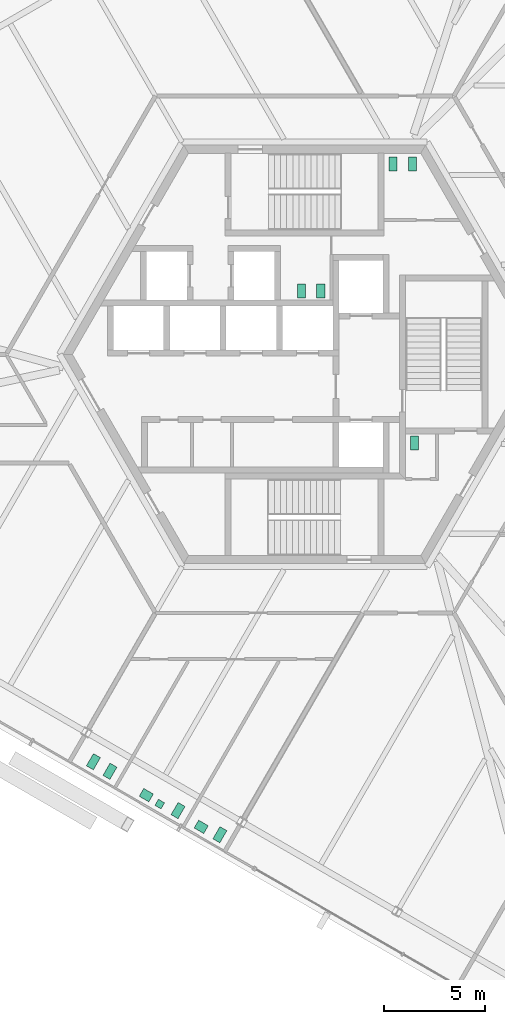
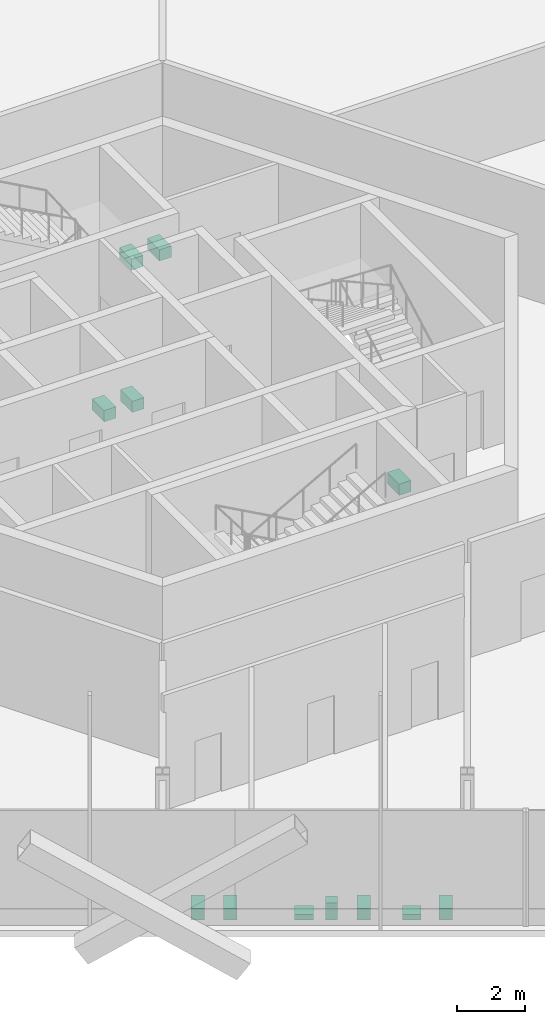
# One storey, part 18 of 18: 12 sanitary terminals.
"""IFC4 building model written with IfcOpenShell, lengths in metres."""

import ifcopenshell
import ifcopenshell.guid

model = None  # the IFC model being written
_history = None  # IfcOwnerHistory: only IFC2X3 demands one
_inside = {}  # id of a spatial element -> (the spatial element, [elements in it])
_under = {}  # id of a project, library or spatial element -> (it, [spatial elements below it])
_declared = {}  # id of a project -> (the project, [libraries it declares])
_typed = {}  # id of a type object -> (the type object, [elements of that type])
_made_of = {}  # id of a material, layer set ... -> (it, [elements and type objects made of it])


def new_model(schema):
    """Start an empty IFC model of exactly this schema.

    Asked for "IFC4X3", IfcOpenShell would pick the latest addendum, in which some entities
    have other attributes; the version numbers below select the first issue.
    IFC2X3 requires an IfcOwnerHistory on every rooted entity: one is made here for all.
    """
    global model, _history
    if schema == "IFC4X3":
        model = ifcopenshell.file(schema_version=(4, 3, 0, 0))
    else:
        model = ifcopenshell.file(schema=schema)
    _inside.clear()
    _under.clear()
    _declared.clear()
    _typed.clear()
    _made_of.clear()
    _history = None
    if model.schema == "IFC2X3":
        org = make("IfcOrganization", Name="unknown")
        user = make(
            "IfcPersonAndOrganization",
            ThePerson=make("IfcPerson", FamilyName="unknown"),
            TheOrganization=org,
        )
        app = make(
            "IfcApplication",
            ApplicationDeveloper=org,
            Version="unknown",
            ApplicationFullName="unknown",
            ApplicationIdentifier="unknown",
        )
        _history = make(
            "IfcOwnerHistory",
            OwningUser=user,
            OwningApplication=app,
            ChangeAction="ADDED",
            CreationDate=0,
        )
    return model


def make(cls, **values):
    """One entity of the class cls with the attributes given. An attribute that is None is left unset."""
    return model.create_entity(
        cls, **{name: value for name, value in values.items() if value is not None}
    )


def rooted(cls, **values):
    """An entity with a GlobalId (a new one), such as an element, a storey or a relation."""
    return make(cls, GlobalId=ifcopenshell.guid.new(), OwnerHistory=_history, **values)


def si_unit(unit_type, name, prefix=None):
    """IfcSIUnit, for example si_unit("LENGTHUNIT", "METRE", prefix="MILLI")."""
    return make("IfcSIUnit", UnitType=unit_type, Prefix=prefix, Name=name)


def assignment(units):
    """IfcUnitAssignment: the units of a project."""
    return None if units is None else make("IfcUnitAssignment", Units=units)


def point(xyz):
    """IfcCartesianPoint."""
    return None if xyz is None else make("IfcCartesianPoint", Coordinates=xyz)


def direction(xyz):
    """IfcDirection."""
    return None if xyz is None else make("IfcDirection", DirectionRatios=xyz)


def frame(location, z_axis=None, x_axis=None):
    """IfcAxis2Placement3D, a coordinate frame: its origin and axes. An axis left out is left unset."""
    return make(
        "IfcAxis2Placement3D",
        Location=point(location),
        Axis=direction(z_axis),
        RefDirection=direction(x_axis),
    )


def frame_2d(location, x_axis=None):
    """IfcAxis2Placement2D, a coordinate frame in the plane: its origin and x axis."""
    return make(
        "IfcAxis2Placement2D", Location=point(location), RefDirection=direction(x_axis)
    )


def origin():
    """The frame at (0, 0, 0) with its axes left unset."""
    return frame((0.0, 0.0, 0.0))


def origin_2d():
    """The frame at (0, 0) in the plane with its x axis left unset."""
    return frame_2d((0.0, 0.0))


def place(relative_to, where):
    """IfcLocalPlacement: puts the frame where relative to a parent placement (None: the world)."""
    return make(
        "IfcLocalPlacement", PlacementRelTo=relative_to, RelativePlacement=where
    )


def context(
    kind, dimensions, precision=None, world=None, true_north=None, identifier=None
):
    """IfcGeometricRepresentationContext, for example the 3D "Model" context."""
    return make(
        "IfcGeometricRepresentationContext",
        ContextIdentifier=identifier,
        ContextType=kind,
        CoordinateSpaceDimension=dimensions,
        Precision=precision,
        WorldCoordinateSystem=world,
        TrueNorth=true_north,
    )


def subcontext(parent, identifier, kind, view, scale=None):
    """IfcGeometricRepresentationSubContext, for example "Body" below "Model"."""
    return make(
        "IfcGeometricRepresentationSubContext",
        ContextIdentifier=identifier,
        ContextType=kind,
        ParentContext=parent,
        TargetScale=scale,
        TargetView=view,
    )


def project(units=None, contexts=None):
    """IfcProject with its units and contexts."""
    return rooted(
        "IfcProject",
        Name="project",
        RepresentationContexts=contexts,
        UnitsInContext=assignment(units),
    )


def spatial(cls, under=None, at=None, **own):
    """A site, building, storey or space (cls), placed at a placement, below another one or the project."""
    s = rooted(cls, ObjectPlacement=at, **own)
    if under is not None:
        _under.setdefault(under.id(), (under, []))[1].append(s)
    return s


def profile(cls, at=None, kind="AREA", **sizes):
    """A parametric profile (cls). Its sizes go by their IFC names, for example OverallWidth=200.0."""
    return make(cls, ProfileType=kind, Position=at, **sizes)


def rectangle(**sizes):
    """IfcRectangleProfileDef."""
    return profile("IfcRectangleProfileDef", **sizes)


def extrude(swept, where, along, depth):
    """IfcExtrudedAreaSolid: the profile swept, set in the frame where, extruded along a direction by depth."""
    return make(
        "IfcExtrudedAreaSolid",
        SweptArea=swept,
        Position=where,
        ExtrudedDirection=direction(along),
        Depth=depth,
    )


def shape(context_of_items, identifier, shape_type, items):
    """IfcShapeRepresentation: the items that make up one representation, for example the "Body"."""
    return make(
        "IfcShapeRepresentation",
        ContextOfItems=context_of_items,
        RepresentationIdentifier=identifier,
        RepresentationType=shape_type,
        Items=items,
    )


def source(mapping_origin, context_of_items, identifier, shape_type, items):
    """IfcRepresentationMap: a shape defined once, which mapped items show again and again."""
    return make(
        "IfcRepresentationMap",
        MappingOrigin=mapping_origin,
        MappedRepresentation=shape(context_of_items, identifier, shape_type, items),
    )


def transform(
    local_origin,
    x_axis=None,
    y_axis=None,
    z_axis=None,
    scale=None,
    scale2=None,
    scale3=None,
    uniform=True,
):
    """IfcCartesianTransformationOperator3D, or its non-uniform kind. x_axis, y_axis, z_axis: its Axis1, 2, 3."""
    if uniform:
        return make(
            "IfcCartesianTransformationOperator3D",
            Axis1=direction(x_axis),
            Axis2=direction(y_axis),
            LocalOrigin=point(local_origin),
            Scale=scale,
            Axis3=direction(z_axis),
        )
    return make(
        "IfcCartesianTransformationOperator3DnonUniform",
        Axis1=direction(x_axis),
        Axis2=direction(y_axis),
        LocalOrigin=point(local_origin),
        Scale=scale,
        Axis3=direction(z_axis),
        Scale2=scale2,
        Scale3=scale3,
    )


def mapped(mapping_source, mapping_target):
    """IfcMappedItem: shows the shape of a source again, moved by a transform."""
    return make(
        "IfcMappedItem", MappingSource=mapping_source, MappingTarget=mapping_target
    )


def material(Name=None, Category=None):
    """IfcMaterial."""
    return make("IfcMaterial", Name=Name, Category=Category)


def made_of(thing, what):
    """Note that an element or type object is made of a material, layer set ...; save() writes the relation."""
    if what is not None:
        _made_of.setdefault(what.id(), (what, []))[1].append(thing)
    return thing


def element(
    cls,
    number,
    at=None,
    inside=None,
    cuts=None,
    type_object=None,
    material=None,
    context=None,
    identifier="Body",
    shape_type=None,
    held_by="IfcProductDefinitionShape",
    body=None,
    shapes=None,
    **own,
):
    """One element of the class cls, such as IfcWall. Its Tag is "e" and its number.

    at: its placement. inside: the storey or other place that contains it. cuts: it is an
    opening in that element (IfcRelVoidsElement). A single representation is given by context,
    identifier, shape_type and body (its items); several are given by shapes. held_by: the class
    of the entity that holds the representations. save() writes the other relations.
    """
    e = rooted(cls, Tag="e%d" % number, ObjectPlacement=at, **own)
    if body is not None:
        shapes = [shape(context, identifier, shape_type, body)]
    if shapes is not None:
        e.Representation = make(held_by, Representations=shapes)
    if inside is not None:
        _inside.setdefault(inside.id(), (inside, []))[1].append(e)
    if cuts is not None:
        rooted(
            "IfcRelVoidsElement", RelatingBuildingElement=cuts, RelatedOpeningElement=e
        )
    if type_object is not None:
        _typed.setdefault(type_object.id(), (type_object, []))[1].append(e)
    return made_of(e, material)


def aggregate(whole, parts):
    """IfcRelAggregates: a whole, such as a stair, and the parts it consists of."""
    return rooted("IfcRelAggregates", RelatingObject=whole, RelatedObjects=parts)


def save(model, path):
    """Write the relations noted so far, then the file.

    IfcRelAggregates (storeys below a building ...), IfcRelContainedInSpatialStructure (elements
    in a storey), IfcRelDefinesByType, IfcRelAssociatesMaterial and IfcRelDeclares: one each for
    every whole, place, type object, material and project.
    """
    for whole, parts in _under.values():
        aggregate(whole, parts)
    for where, things in _inside.values():
        rooted(
            "IfcRelContainedInSpatialStructure",
            RelatedElements=things,
            RelatingStructure=where,
        )
    for kind, things in _typed.values():
        rooted("IfcRelDefinesByType", RelatedObjects=things, RelatingType=kind)
    for what, things in _made_of.values():
        rooted("IfcRelAssociatesMaterial", RelatedObjects=things, RelatingMaterial=what)
    for by, libraries in _declared.values():
        rooted("IfcRelDeclares", RelatingContext=by, RelatedDefinitions=libraries)
    model.write(path)


model = new_model("IFC4")

# Units and contexts
model_context = context("Model", 3, precision=1e-05, world=origin(), true_north=direction((0.0, 1.0)))
body_context = subcontext(model_context, "Body", "Model", "MODEL_VIEW")
ifc_project = project(units=[si_unit("LENGTHUNIT", "METRE"), si_unit("AREAUNIT", "SQUARE_METRE"), si_unit("VOLUMEUNIT", "CUBIC_METRE"), si_unit("PLANEANGLEUNIT", "RADIAN"), si_unit("MASSUNIT", "GRAM", prefix="KILO")], contexts=[model_context])

# Site, building, storey
site_placement = place(None, origin())
site = spatial("IfcSite", under=ifc_project, at=site_placement, CompositionType="ELEMENT")
building_placement = place(site_placement, origin())
building = spatial("IfcBuilding", under=site, at=building_placement, Name="Triune Harvest Tower", CompositionType="ELEMENT")
storey_placement = place(building_placement, frame((0.0, 0.0, 33.199951171875)))
storey = spatial("IfcBuildingStorey", under=building, at=storey_placement, Name="L07", CompositionType="ELEMENT", Elevation=33.199951171875)

# Sanitary terminals
ifc_material = material(Name="Vitreous china")
shared_shape_1 = source(origin(), body_context, "Body", "SweptSolid", [
    extrude(rectangle(XDim=0.39990234375, YDim=0.699951171875, at=origin_2d()), origin(), (0.0, 0.0, 1.0), 0.39990234375),
])
for number, where, z_axis, x_axis, name in (
    (1, (4.39990234375, 9.449951171875, 0.0), (0.0, 0.0, 1.0), (1.0, 0.0, 0.0), "Toilet pan L07.c01"),
    (2, (5.35009765625, 9.449951171875, 0.0), (0.0, 0.0, 1.0), (1.0, 0.0, 0.0), "Toilet pan L07.c02"),
    (3, (0.800048828125, 3.159912109375, 0.0), (0.0, 0.0, 1.0), (-1.0, 0.0, 0.0), "Toilet pan L07.c03"),
    (4, (-0.14990234375, 3.159912109375, 0.0), (0.0, 0.0, 1.0), (-1.0, 0.0, 0.0), "Toilet pan L07.c04"),
    (5, (5.449951171875, -4.39990234375, 0.0), (0.0, 0.0, 1.0), (1.0, 0.0, 0.0), "Toilet pan L07.c05"),
    (6, (-9.671875, -20.7099609375, 0.0), (0.0, 0.0, 1.0), (-0.866042856549, 0.499969769706, 0.0), "Toilet pan 01"),
    (7, (-10.49462890625, -20.235107421875, 0.0), (0.0, 0.0, 1.0), (-0.866042856549, 0.499969769706, 0.0), "Toilet pan 02"),
    (8, (-6.289306640625, -22.6630859375, 0.0), (0.0, 0.0, 1.0), (-0.866034130299, 0.499984884929, 0.0), "Toilet pan 03"),
    (9, (-4.210693359375, -23.863037109375, 0.0), (0.0, 0.0, 1.0), (-0.866016677006, 0.500015114919, 0.0), "Toilet pan 06"),
):
    element("IfcSanitaryTerminal", number, at=place(storey_placement, frame(where, z_axis=z_axis, x_axis=x_axis)), inside=storey, material=ifc_material, Name=name, PredefinedType="TOILETPAN", context=body_context, shape_type="MappedRepresentation", body=[
        mapped(shared_shape_1, transform((0.0, 0.0, 0.0), scale=1.0)),
    ])
shared_shape_2 = source(origin(), body_context, "Body", "SweptSolid", [
    extrude(rectangle(XDim=0.35009765625, YDim=0.35009765625, at=origin_2d()), origin(), (0.0, 0.0, 1.0), 0.60009765625),
])
sanitary_terminal_placement = place(storey_placement, frame((-7.199462890625, -22.339599609375, 0.0), z_axis=(0.0, 0.0, 1.0), x_axis=(-0.866034130299, 0.499984884929, 0.0)))
element("IfcSanitaryTerminal", 10, at=sanitary_terminal_placement, inside=storey, material=ifc_material, Name="Urinal 04", PredefinedType="URINAL", context=body_context, shape_type="MappedRepresentation", body=[
    mapped(shared_shape_2, transform((0.0, 0.0, 0.0), scale=1.0)),
])
shared_shape_3 = source(origin(), body_context, "Body", "SweptSolid", [
    extrude(rectangle(XDim=0.550048828125, YDim=0.449951171875, at=origin_2d()), origin(), (0.0, 0.0, 1.0), 0.199951171875),
])
for number, where, z_axis, x_axis, name in (
    (11, (-7.8671875, -21.896240234375, 0.0), (0.0, 0.0, 1.0), (-0.866034130299, 0.499984884929, 0.0), "Wash basin 05"),
    (12, (-5.13916015625, -23.47119140625, 0.0), (0.0, 0.0, 1.0), (-0.866016677006, 0.500015114919, 0.0), "Wash basin 07"),
):
    element("IfcSanitaryTerminal", number, at=place(storey_placement, frame(where, z_axis=z_axis, x_axis=x_axis)), inside=storey, material=ifc_material, Name=name, PredefinedType="WASHHANDBASIN", context=body_context, shape_type="MappedRepresentation", body=[
        mapped(shared_shape_3, transform((0.0, 0.0, 0.0), scale=1.0)),
    ])

save(model, "model.ifc")
